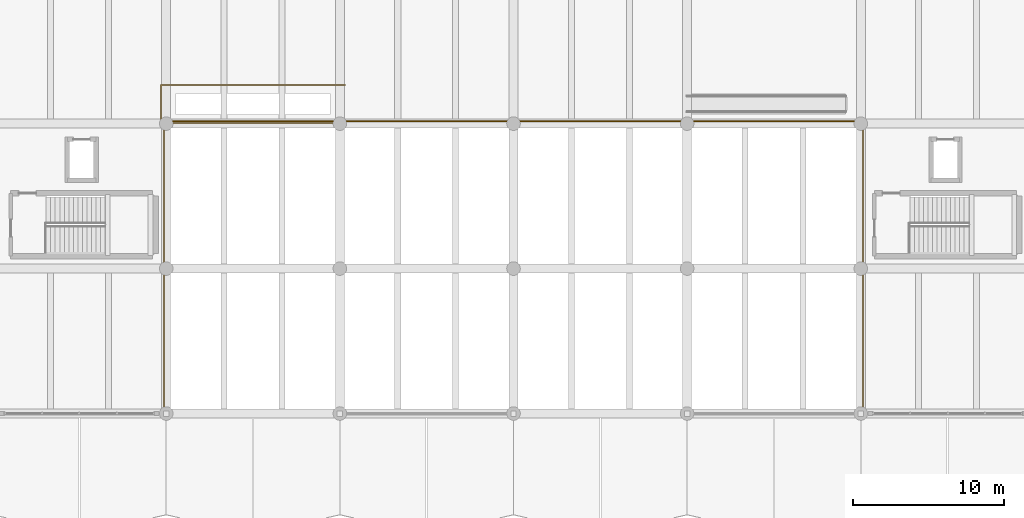
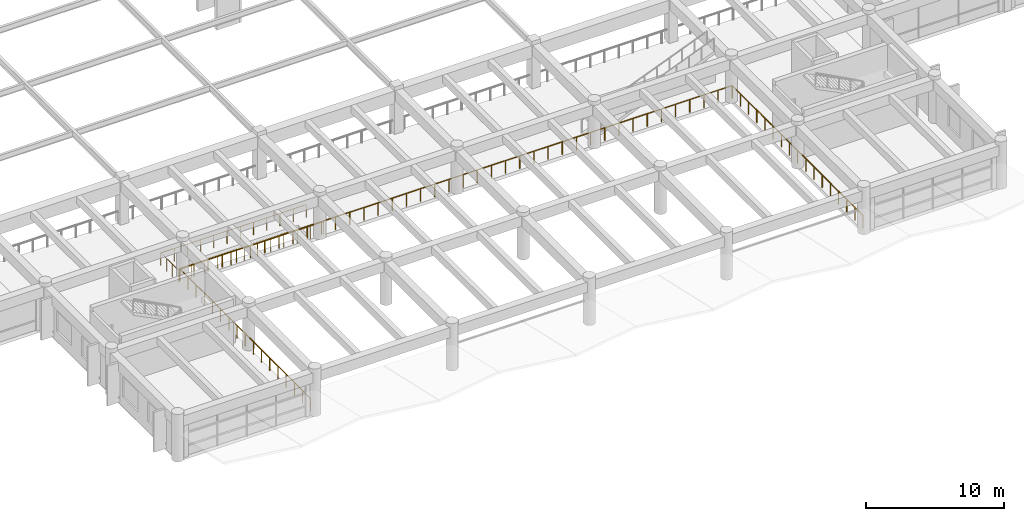
# One storey, part 90 of 98: 2 railings.
"""IFC4 building model written with IfcOpenShell, lengths in metres."""

from ifc_helpers import new_model, si_unit, direction, frame, origin, origin_2d, place, context, subcontext, project, spatial, circle, extrude, material, type_object, element, save


model = new_model("IFC4")

# Units and contexts
model_context = context("Model", 3, precision=1e-05, world=origin(), true_north=direction((0.0, 1.0)))
body_context = subcontext(model_context, "Body", "Model", "MODEL_VIEW")
ifc_project = project(units=[si_unit("LENGTHUNIT", "METRE"), si_unit("AREAUNIT", "SQUARE_METRE"), si_unit("VOLUMEUNIT", "CUBIC_METRE"), si_unit("PLANEANGLEUNIT", "RADIAN"), si_unit("MASSUNIT", "GRAM", prefix="KILO")], contexts=[model_context])

# Site, building, storey
site_placement = place(None, origin())
site = spatial("IfcSite", under=ifc_project, at=site_placement, CompositionType="ELEMENT")
building_placement = place(site_placement, origin())
building = spatial("IfcBuilding", under=site, at=building_placement, Name="Ologun Quay Terminus", CompositionType="ELEMENT")
storey_placement = place(building_placement, frame((0.0, 0.0, 4.199951171875)))
storey = spatial("IfcBuildingStorey", under=building, at=storey_placement, Name="L01", CompositionType="ELEMENT", Elevation=4.199951171875)

# Railings
ifc_material = material(Name="Glass", Category="glass")
railing_type = type_object("IfcRailingType", Name="Concourse & Atrium Glazed Balustrade 1150", PredefinedType="BALUSTRADE", material=ifc_material)
railing_1_placement = place(storey_placement, frame((80.85009765625, 27.25, 0.0)))
element("IfcRailing", 1, at=railing_1_placement, inside=storey, type_object=railing_type, Name="BL-GL Escalator Well Balustrade ESC-05", PredefinedType="BALUSTRADE", context=body_context, shape_type="SweptSolid", body=[
    extrude(circle(Radius=0.02392578125, at=origin_2d()), frame((0.0, 0.0, 1.1259765625), z_axis=(-1.0, 0.0, 0.0), x_axis=(0.0, -1.0, 0.0)), (0.0, 0.0, 1.0), 12.2001953125),
    extrude(circle(Radius=0.02392578125, at=origin_2d()), frame((-12.2001953125, 0.0, 1.1259765625), z_axis=(0.0, 1.0, 0.0), x_axis=(-1.0, 0.0, 0.0)), (0.0, 0.0, 1.0), 2.5),
    extrude(circle(Radius=0.02392578125, at=origin_2d()), frame((-12.2001953125, 2.5, 1.1259765625), z_axis=(1.0, 0.0, 0.0), x_axis=(0.0, 1.0, 0.0)), (0.0, 0.0, 1.0), 12.2001953125),
    extrude(circle(Radius=0.02099609375, at=origin_2d()), origin(), (0.0, 0.0, 1.0), 1.101806640625),
    extrude(circle(Radius=0.02099609375, at=origin_2d()), frame((-1.109130859375, 0.0, 0.0)), (0.0, 0.0, 1.0), 1.101806640625),
    extrude(circle(Radius=0.02099609375, at=origin_2d()), frame((-2.21826171875, 0.0, 0.0)), (0.0, 0.0, 1.0), 1.101806640625),
    extrude(circle(Radius=0.02099609375, at=origin_2d()), frame((-3.327392578125, 0.0, 0.0)), (0.0, 0.0, 1.0), 1.101806640625),
    extrude(circle(Radius=0.02099609375, at=origin_2d()), frame((-4.4365234375, 0.0, 0.0)), (0.0, 0.0, 1.0), 1.101806640625),
    extrude(circle(Radius=0.02099609375, at=origin_2d()), frame((-5.545654296875, 0.0, 0.0)), (0.0, 0.0, 1.0), 1.101806640625),
    extrude(circle(Radius=0.02099609375, at=origin_2d()), frame((-6.654541015625, 0.0, 0.0)), (0.0, 0.0, 1.0), 1.101806640625),
    extrude(circle(Radius=0.02099609375, at=origin_2d()), frame((-7.763671875, 0.0, 0.0)), (0.0, 0.0, 1.0), 1.101806640625),
    extrude(circle(Radius=0.02099609375, at=origin_2d()), frame((-8.872802734375, 0.0, 0.0)), (0.0, 0.0, 1.0), 1.101806640625),
    extrude(circle(Radius=0.02099609375, at=origin_2d()), frame((-9.98193359375, 0.0, 0.0)), (0.0, 0.0, 1.0), 1.101806640625),
    extrude(circle(Radius=0.02099609375, at=origin_2d()), frame((-11.091064453125, 0.0, 0.0)), (0.0, 0.0, 1.0), 1.101806640625),
    extrude(circle(Radius=0.02099609375, at=origin_2d()), frame((-12.2001953125, 0.0, 0.0)), (0.0, 0.0, 1.0), 1.101806640625),
    extrude(circle(Radius=0.02099609375, at=origin_2d()), frame((-12.2001953125, 0.833251953125, 0.0)), (0.0, 0.0, 1.0), 1.101806640625),
    extrude(circle(Radius=0.02099609375, at=origin_2d()), frame((-12.2001953125, 1.666748046875, 0.0)), (0.0, 0.0, 1.0), 1.101806640625),
    extrude(circle(Radius=0.02099609375, at=origin_2d()), frame((-12.2001953125, 2.5, 0.0)), (0.0, 0.0, 1.0), 1.101806640625),
    extrude(circle(Radius=0.02099609375, at=origin_2d()), frame((-11.091064453125, 2.5, 0.0)), (0.0, 0.0, 1.0), 1.101806640625),
    extrude(circle(Radius=0.02099609375, at=origin_2d()), frame((-9.98193359375, 2.5, 0.0)), (0.0, 0.0, 1.0), 1.101806640625),
    extrude(circle(Radius=0.02099609375, at=origin_2d()), frame((-8.872802734375, 2.5, 0.0)), (0.0, 0.0, 1.0), 1.101806640625),
    extrude(circle(Radius=0.02099609375, at=origin_2d()), frame((-7.763671875, 2.5, 0.0)), (0.0, 0.0, 1.0), 1.101806640625),
    extrude(circle(Radius=0.02099609375, at=origin_2d()), frame((-6.654541015625, 2.5, 0.0)), (0.0, 0.0, 1.0), 1.101806640625),
    extrude(circle(Radius=0.02099609375, at=origin_2d()), frame((-5.545654296875, 2.5, 0.0)), (0.0, 0.0, 1.0), 1.101806640625),
    extrude(circle(Radius=0.02099609375, at=origin_2d()), frame((-4.4365234375, 2.5, 0.0)), (0.0, 0.0, 1.0), 1.101806640625),
    extrude(circle(Radius=0.02099609375, at=origin_2d()), frame((-3.327392578125, 2.5, 0.0)), (0.0, 0.0, 1.0), 1.101806640625),
    extrude(circle(Radius=0.02099609375, at=origin_2d()), frame((-2.21826171875, 2.5, 0.0)), (0.0, 0.0, 1.0), 1.101806640625),
    extrude(circle(Radius=0.02099609375, at=origin_2d()), frame((-1.109130859375, 2.5, 0.0)), (0.0, 0.0, 1.0), 1.101806640625),
    extrude(circle(Radius=0.02099609375, at=origin_2d()), frame((0.0, 2.5, 0.0)), (0.0, 0.0, 1.0), 1.101806640625),
])
railing_2_placement = place(storey_placement, frame((68.85009765625, 8.35009765625, 0.0)))
element("IfcRailing", 2, at=railing_2_placement, inside=storey, type_object=railing_type, Name="BL-GL Ticket Hall Atrium Balustrade L01", PredefinedType="BALUSTRADE", context=body_context, shape_type="SweptSolid", body=[
    extrude(circle(Radius=0.02392578125, at=origin_2d()), frame((0.0, 0.0, 1.1259765625), z_axis=(0.0, 1.0, 0.0), x_axis=(-1.0, 0.0, 0.0)), (0.0, 0.0, 1.0), 19.0),
    extrude(circle(Radius=0.02392578125, at=origin_2d()), frame((0.0, 19.0, 1.1259765625), z_axis=(1.0, 0.0, 0.0), x_axis=(0.0, 1.0, 0.0)), (0.0, 0.0, 1.0), 46.2998046875),
    extrude(circle(Radius=0.02392578125, at=origin_2d()), frame((46.2998046875, 19.0, 1.1259765625), z_axis=(0.0, -1.0, 0.0), x_axis=(1.0, 0.0, 0.0)), (0.0, 0.0, 1.0), 19.0),
    extrude(circle(Radius=0.02099609375, at=origin_2d()), origin(), (0.0, 0.0, 1.0), 1.101806640625),
    extrude(circle(Radius=0.02099609375, at=origin_2d()), frame((0.0, 1.1875, 0.0)), (0.0, 0.0, 1.0), 1.101806640625),
    extrude(circle(Radius=0.02099609375, at=origin_2d()), frame((0.0, 2.375, 0.0)), (0.0, 0.0, 1.0), 1.101806640625),
    extrude(circle(Radius=0.02099609375, at=origin_2d()), frame((0.0, 3.5625, 0.0)), (0.0, 0.0, 1.0), 1.101806640625),
    extrude(circle(Radius=0.02099609375, at=origin_2d()), frame((0.0, 4.75, 0.0)), (0.0, 0.0, 1.0), 1.101806640625),
    extrude(circle(Radius=0.02099609375, at=origin_2d()), frame((0.0, 5.9375, 0.0)), (0.0, 0.0, 1.0), 1.101806640625),
    extrude(circle(Radius=0.02099609375, at=origin_2d()), frame((0.0, 7.125, 0.0)), (0.0, 0.0, 1.0), 1.101806640625),
    extrude(circle(Radius=0.02099609375, at=origin_2d()), frame((0.0, 8.3125, 0.0)), (0.0, 0.0, 1.0), 1.101806640625),
    extrude(circle(Radius=0.02099609375, at=origin_2d()), frame((0.0, 9.5, 0.0)), (0.0, 0.0, 1.0), 1.101806640625),
    extrude(circle(Radius=0.02099609375, at=origin_2d()), frame((0.0, 10.6875, 0.0)), (0.0, 0.0, 1.0), 1.101806640625),
    extrude(circle(Radius=0.02099609375, at=origin_2d()), frame((0.0, 11.875, 0.0)), (0.0, 0.0, 1.0), 1.101806640625),
    extrude(circle(Radius=0.02099609375, at=origin_2d()), frame((0.0, 13.0625, 0.0)), (0.0, 0.0, 1.0), 1.101806640625),
    extrude(circle(Radius=0.02099609375, at=origin_2d()), frame((0.0, 14.25, 0.0)), (0.0, 0.0, 1.0), 1.101806640625),
    extrude(circle(Radius=0.02099609375, at=origin_2d()), frame((0.0, 15.4375, 0.0)), (0.0, 0.0, 1.0), 1.101806640625),
    extrude(circle(Radius=0.02099609375, at=origin_2d()), frame((0.0, 16.625, 0.0)), (0.0, 0.0, 1.0), 1.101806640625),
    extrude(circle(Radius=0.02099609375, at=origin_2d()), frame((0.0, 17.8125, 0.0)), (0.0, 0.0, 1.0), 1.101806640625),
    extrude(circle(Radius=0.02099609375, at=origin_2d()), frame((0.0, 19.0, 0.0)), (0.0, 0.0, 1.0), 1.101806640625),
    extrude(circle(Radius=0.02099609375, at=origin_2d()), frame((1.187255859375, 19.0, 0.0)), (0.0, 0.0, 1.0), 1.101806640625),
    extrude(circle(Radius=0.02099609375, at=origin_2d()), frame((2.374267578125, 19.0, 0.0)), (0.0, 0.0, 1.0), 1.101806640625),
    extrude(circle(Radius=0.02099609375, at=origin_2d()), frame((3.5615234375, 19.0, 0.0)), (0.0, 0.0, 1.0), 1.101806640625),
    extrude(circle(Radius=0.02099609375, at=origin_2d()), frame((4.748779296875, 19.0, 0.0)), (0.0, 0.0, 1.0), 1.101806640625),
    extrude(circle(Radius=0.02099609375, at=origin_2d()), frame((5.935791015625, 19.0, 0.0)), (0.0, 0.0, 1.0), 1.101806640625),
    extrude(circle(Radius=0.02099609375, at=origin_2d()), frame((7.123046875, 19.0, 0.0)), (0.0, 0.0, 1.0), 1.101806640625),
    extrude(circle(Radius=0.02099609375, at=origin_2d()), frame((8.310302734375, 19.0, 0.0)), (0.0, 0.0, 1.0), 1.101806640625),
    extrude(circle(Radius=0.02099609375, at=origin_2d()), frame((9.497314453125, 19.0, 0.0)), (0.0, 0.0, 1.0), 1.101806640625),
    extrude(circle(Radius=0.02099609375, at=origin_2d()), frame((10.6845703125, 19.0, 0.0)), (0.0, 0.0, 1.0), 1.101806640625),
    extrude(circle(Radius=0.02099609375, at=origin_2d()), frame((11.871826171875, 19.0, 0.0)), (0.0, 0.0, 1.0), 1.101806640625),
    extrude(circle(Radius=0.02099609375, at=origin_2d()), frame((13.058837890625, 19.0, 0.0)), (0.0, 0.0, 1.0), 1.101806640625),
    extrude(circle(Radius=0.02099609375, at=origin_2d()), frame((14.24609375, 19.0, 0.0)), (0.0, 0.0, 1.0), 1.101806640625),
    extrude(circle(Radius=0.02099609375, at=origin_2d()), frame((15.433349609375, 19.0, 0.0)), (0.0, 0.0, 1.0), 1.101806640625),
    extrude(circle(Radius=0.02099609375, at=origin_2d()), frame((16.620361328125, 19.0, 0.0)), (0.0, 0.0, 1.0), 1.101806640625),
    extrude(circle(Radius=0.02099609375, at=origin_2d()), frame((17.8076171875, 19.0, 0.0)), (0.0, 0.0, 1.0), 1.101806640625),
    extrude(circle(Radius=0.02099609375, at=origin_2d()), frame((18.994873046875, 19.0, 0.0)), (0.0, 0.0, 1.0), 1.101806640625),
    extrude(circle(Radius=0.02099609375, at=origin_2d()), frame((20.181884765625, 19.0, 0.0)), (0.0, 0.0, 1.0), 1.101806640625),
    extrude(circle(Radius=0.02099609375, at=origin_2d()), frame((21.369140625, 19.0, 0.0)), (0.0, 0.0, 1.0), 1.101806640625),
    extrude(circle(Radius=0.02099609375, at=origin_2d()), frame((22.556396484375, 19.0, 0.0)), (0.0, 0.0, 1.0), 1.101806640625),
    extrude(circle(Radius=0.02099609375, at=origin_2d()), frame((23.743408203125, 19.0, 0.0)), (0.0, 0.0, 1.0), 1.101806640625),
    extrude(circle(Radius=0.02099609375, at=origin_2d()), frame((24.9306640625, 19.0, 0.0)), (0.0, 0.0, 1.0), 1.101806640625),
    extrude(circle(Radius=0.02099609375, at=origin_2d()), frame((26.117919921875, 19.0, 0.0)), (0.0, 0.0, 1.0), 1.101806640625),
    extrude(circle(Radius=0.02099609375, at=origin_2d()), frame((27.304931640625, 19.0, 0.0)), (0.0, 0.0, 1.0), 1.101806640625),
    extrude(circle(Radius=0.02099609375, at=origin_2d()), frame((28.4921875, 19.0, 0.0)), (0.0, 0.0, 1.0), 1.101806640625),
    extrude(circle(Radius=0.02099609375, at=origin_2d()), frame((29.679443359375, 19.0, 0.0)), (0.0, 0.0, 1.0), 1.101806640625),
    extrude(circle(Radius=0.02099609375, at=origin_2d()), frame((30.866455078125, 19.0, 0.0)), (0.0, 0.0, 1.0), 1.101806640625),
    extrude(circle(Radius=0.02099609375, at=origin_2d()), frame((32.0537109375, 19.0, 0.0)), (0.0, 0.0, 1.0), 1.101806640625),
    extrude(circle(Radius=0.02099609375, at=origin_2d()), frame((33.240966796875, 19.0, 0.0)), (0.0, 0.0, 1.0), 1.101806640625),
    extrude(circle(Radius=0.02099609375, at=origin_2d()), frame((34.427978515625, 19.0, 0.0)), (0.0, 0.0, 1.0), 1.101806640625),
    extrude(circle(Radius=0.02099609375, at=origin_2d()), frame((35.615234375, 19.0, 0.0)), (0.0, 0.0, 1.0), 1.101806640625),
    extrude(circle(Radius=0.02099609375, at=origin_2d()), frame((36.802490234375, 19.0, 0.0)), (0.0, 0.0, 1.0), 1.101806640625),
    extrude(circle(Radius=0.02099609375, at=origin_2d()), frame((37.989501953125, 19.0, 0.0)), (0.0, 0.0, 1.0), 1.101806640625),
    extrude(circle(Radius=0.02099609375, at=origin_2d()), frame((39.1767578125, 19.0, 0.0)), (0.0, 0.0, 1.0), 1.101806640625),
    extrude(circle(Radius=0.02099609375, at=origin_2d()), frame((40.364013671875, 19.0, 0.0)), (0.0, 0.0, 1.0), 1.101806640625),
    extrude(circle(Radius=0.02099609375, at=origin_2d()), frame((41.551025390625, 19.0, 0.0)), (0.0, 0.0, 1.0), 1.101806640625),
    extrude(circle(Radius=0.02099609375, at=origin_2d()), frame((42.73828125, 19.0, 0.0)), (0.0, 0.0, 1.0), 1.101806640625),
    extrude(circle(Radius=0.02099609375, at=origin_2d()), frame((43.925537109375, 19.0, 0.0)), (0.0, 0.0, 1.0), 1.101806640625),
    extrude(circle(Radius=0.02099609375, at=origin_2d()), frame((45.112548828125, 19.0, 0.0)), (0.0, 0.0, 1.0), 1.101806640625),
    extrude(circle(Radius=0.02099609375, at=origin_2d()), frame((46.2998046875, 19.0, 0.0)), (0.0, 0.0, 1.0), 1.101806640625),
    extrude(circle(Radius=0.02099609375, at=origin_2d()), frame((46.2998046875, 17.8125, 0.0)), (0.0, 0.0, 1.0), 1.101806640625),
    extrude(circle(Radius=0.02099609375, at=origin_2d()), frame((46.2998046875, 16.625, 0.0)), (0.0, 0.0, 1.0), 1.101806640625),
    extrude(circle(Radius=0.02099609375, at=origin_2d()), frame((46.2998046875, 15.4375, 0.0)), (0.0, 0.0, 1.0), 1.101806640625),
    extrude(circle(Radius=0.02099609375, at=origin_2d()), frame((46.2998046875, 14.25, 0.0)), (0.0, 0.0, 1.0), 1.101806640625),
    extrude(circle(Radius=0.02099609375, at=origin_2d()), frame((46.2998046875, 13.0625, 0.0)), (0.0, 0.0, 1.0), 1.101806640625),
    extrude(circle(Radius=0.02099609375, at=origin_2d()), frame((46.2998046875, 11.875, 0.0)), (0.0, 0.0, 1.0), 1.101806640625),
    extrude(circle(Radius=0.02099609375, at=origin_2d()), frame((46.2998046875, 10.6875, 0.0)), (0.0, 0.0, 1.0), 1.101806640625),
    extrude(circle(Radius=0.02099609375, at=origin_2d()), frame((46.2998046875, 9.5, 0.0)), (0.0, 0.0, 1.0), 1.101806640625),
    extrude(circle(Radius=0.02099609375, at=origin_2d()), frame((46.2998046875, 8.3125, 0.0)), (0.0, 0.0, 1.0), 1.101806640625),
    extrude(circle(Radius=0.02099609375, at=origin_2d()), frame((46.2998046875, 7.125, 0.0)), (0.0, 0.0, 1.0), 1.101806640625),
    extrude(circle(Radius=0.02099609375, at=origin_2d()), frame((46.2998046875, 5.9375, 0.0)), (0.0, 0.0, 1.0), 1.101806640625),
    extrude(circle(Radius=0.02099609375, at=origin_2d()), frame((46.2998046875, 4.75, 0.0)), (0.0, 0.0, 1.0), 1.101806640625),
    extrude(circle(Radius=0.02099609375, at=origin_2d()), frame((46.2998046875, 3.5625, 0.0)), (0.0, 0.0, 1.0), 1.101806640625),
    extrude(circle(Radius=0.02099609375, at=origin_2d()), frame((46.2998046875, 2.375, 0.0)), (0.0, 0.0, 1.0), 1.101806640625),
    extrude(circle(Radius=0.02099609375, at=origin_2d()), frame((46.2998046875, 1.1875, 0.0)), (0.0, 0.0, 1.0), 1.101806640625),
    extrude(circle(Radius=0.02099609375, at=origin_2d()), frame((46.2998046875, 0.0, 0.0)), (0.0, 0.0, 1.0), 1.101806640625),
])

save(model, "model.ifc")
